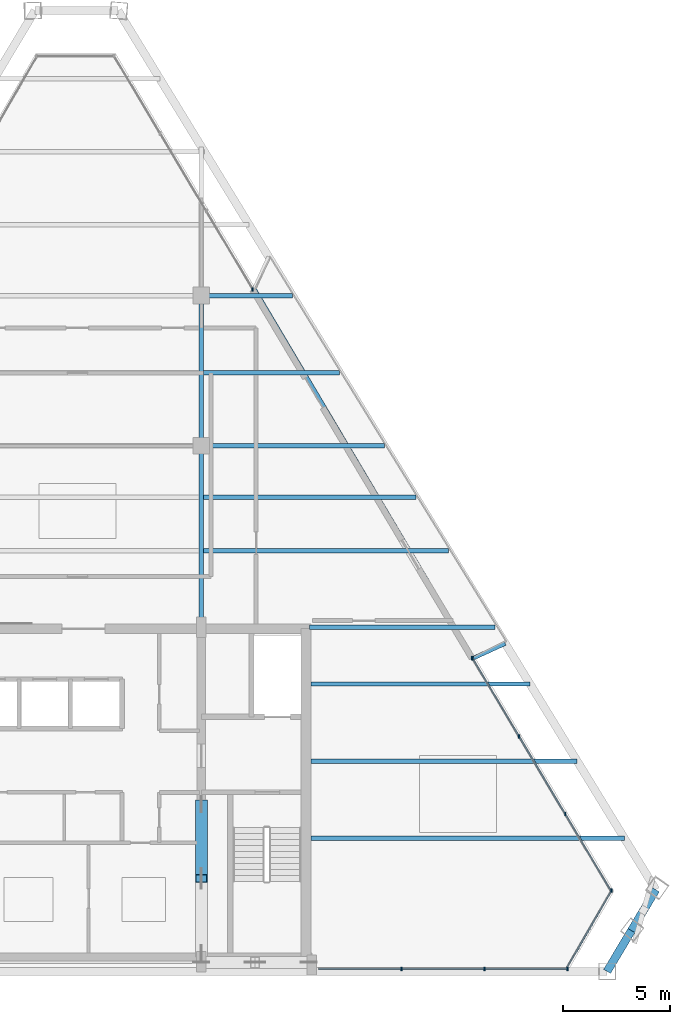
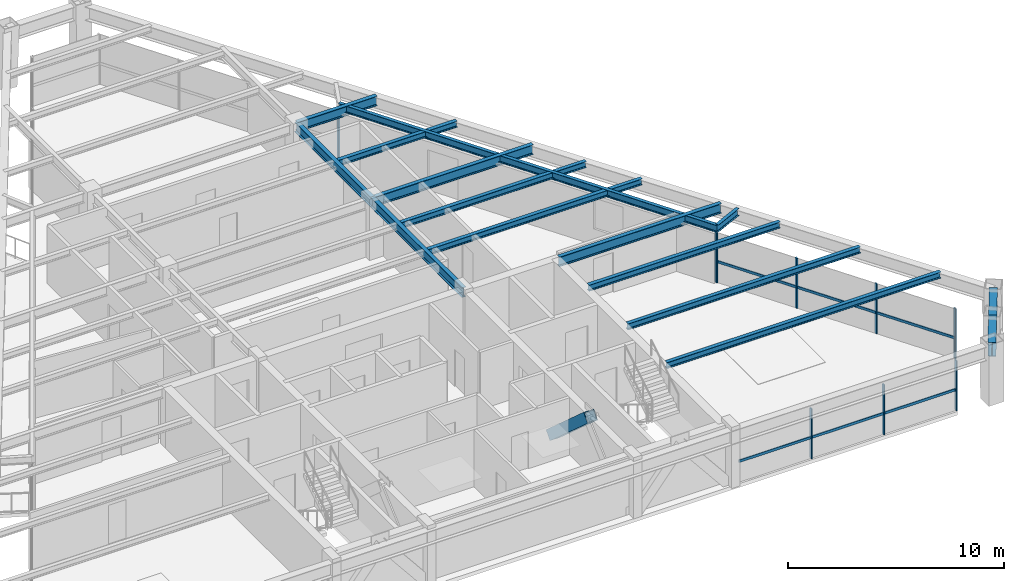
# One storey, part 5 of 13: 17 members, 15 beams, 4 elements without a shape of their own.
"""IFC4 building model written with IfcOpenShell, lengths in metres."""

from ifc_helpers import new_model, si_unit, direction, frame, origin, origin_2d, place, context, subcontext, project, spatial, rectangle, hollow_rectangle, i_section, extrude, source, transform, mapped, material, material_profile, profile_set, type_object, type_shapes, element, aggregate, save


model = new_model("IFC4")

# Units and contexts
model_context = context("Model", 3, precision=1e-05, world=origin(), true_north=direction((0.0, 1.0)))
body_context = subcontext(model_context, "Body", "Model", "MODEL_VIEW")
ifc_project = project(units=[si_unit("LENGTHUNIT", "METRE"), si_unit("AREAUNIT", "SQUARE_METRE"), si_unit("VOLUMEUNIT", "CUBIC_METRE"), si_unit("PLANEANGLEUNIT", "RADIAN"), si_unit("MASSUNIT", "GRAM", prefix="KILO")], contexts=[model_context])

# Site, building, storey
site_placement = place(None, origin())
site = spatial("IfcSite", under=ifc_project, at=site_placement, CompositionType="ELEMENT")
building_placement = place(site_placement, origin())
building = spatial("IfcBuilding", under=site, at=building_placement, Name="Varnakhor Terracotta Tower", CompositionType="ELEMENT")
storey_placement = place(building_placement, frame((0.0, 0.0, 273.0)))
storey = spatial("IfcBuildingStorey", under=building, at=storey_placement, Name="L71", CompositionType="ELEMENT", Elevation=273.0)

# Beams
ifc_material_1 = material(Name="Steel S355", Category="steel")
ifc_material_profile_1 = material_profile(ifc_material_1, i_section(OverallWidth=0.214111328125, OverallDepth=0.549072265625, WebThickness=0.014892578125, FlangeThickness=0.02392578125, FilletRadius=0.01806640625, at=origin_2d()), Name="W21X93")
ifc_profile_set_1 = profile_set([ifc_material_profile_1], Name="Steel S355")
beam_type_1 = type_object("IfcBeamType", Name="BM-W21X93", PredefinedType="BEAM", material=ifc_profile_set_1)
shared_shape_1 = source(origin(), body_context, "Body", "SweptSolid", [
    extrude(i_section(OverallWidth=0.214111328125, OverallDepth=0.549072265625, WebThickness=0.014892578125, FlangeThickness=0.02392578125, FilletRadius=0.01806640625, at=origin_2d()), origin(), (0.0, 0.0, 1.0), 8.449951171875),
])
type_shapes(beam_type_1, [shared_shape_1])
beam_1_placement = place(storey_placement, frame((5.5, 16.050048828125, 2.965576171875), z_axis=(0.0, 1.0, 0.0), x_axis=(-1.0, 0.0, 0.0)))
element("IfcBeam", 1, at=beam_1_placement, inside=storey, type_object=beam_type_1, Name="L71 Primary Girder NS1-E", PredefinedType="BEAM", context=body_context, shape_type="MappedRepresentation", body=[
    mapped(shared_shape_1, transform((0.0, 0.0, 0.0), scale=1.0)),
])
shared_shape_2 = source(origin(), body_context, "Body", "SweptSolid", [
    extrude(i_section(OverallWidth=0.214111328125, OverallDepth=0.549072265625, WebThickness=0.014892578125, FlangeThickness=0.02392578125, FilletRadius=0.01806640625, at=origin_2d()), origin(), (0.0, 0.0, 1.0), 7.0),
])
beam_2_placement = place(storey_placement, frame((5.5, 24.5, 2.965576171875), z_axis=(0.0, 1.0, 0.0), x_axis=(-1.0, 0.0, 0.0)))
element("IfcBeam", 2, at=beam_2_placement, inside=storey, type_object=beam_type_1, Name="L71 Primary Girder NS2-E", PredefinedType="BEAM", context=body_context, shape_type="MappedRepresentation", body=[
    mapped(shared_shape_2, transform((0.0, 0.0, 0.0), scale=1.0)),
])

# Member
ifc_material_profile_2 = material_profile(ifc_material_1, hollow_rectangle(XDim=0.550048828125, YDim=0.550048828125, WallThickness=0.034912109375, at=origin_2d()), Name="HSS550X550X35")
ifc_profile_set_2 = profile_set([ifc_material_profile_2], Name="Steel S355")
member_type_1 = type_object("IfcMemberType", Name="MBR-MEGA-550", PredefinedType="BRACE", material=ifc_profile_set_2)
shared_shape_3 = source(origin(), body_context, "Body", "SweptSolid", [
    extrude(hollow_rectangle(XDim=0.550048828125, YDim=0.550048828125, WallThickness=0.034912109375, at=origin_2d()), origin(), (0.0, 0.0, 1.0), 4.650146484375),
])
member_1_placement = place(storey_placement, frame((5.5, 7.800048828125, 0.0), z_axis=(0.0, -0.74729054724, 0.664497432655), x_axis=(1.0, 0.0, 0.0)))
element("IfcMember", 3, at=member_1_placement, inside=storey, type_object=member_type_1, Name="L71 Core Coupled Brace CWEB", PredefinedType="BRACE", context=body_context, shape_type="MappedRepresentation", body=[
    mapped(shared_shape_3, transform((0.0, 0.0, 0.0), scale=1.0)),
])

# Beams
ifc_material_profile_3 = material_profile(ifc_material_1, i_section(OverallWidth=0.381103515625, OverallDepth=0.77294921875, WebThickness=0.01708984375, FlangeThickness=0.027099609375, FilletRadius=0.01806640625, at=origin_2d()), Name="W30X173")
ifc_profile_set_3 = profile_set([ifc_material_profile_3], Name="Steel S355")
beam_type_2 = type_object("IfcBeamType", Name="BM-W30X173", PredefinedType="BEAM", material=ifc_profile_set_3)
shared_shape_4 = source(origin(), body_context, "Body", "SweptSolid", [
    extrude(i_section(OverallWidth=0.381103515625, OverallDepth=0.77294921875, WebThickness=0.01708984375, FlangeThickness=0.027099609375, FilletRadius=0.01806640625, at=origin_2d()), origin(), (0.0, 0.0, 1.0), 2.21728515625),
])
for number, where, z_axis, x_axis, name in (
    (4, (24.4091796875, 0.0, 2.853515625), (0.512859467372, 0.858472577737, 0.0), (-0.858472577737, 0.512859467372, 0.0), "L71 Perimeter Spandrel 2"),
    (5, (25.54638671875, 1.903564453125, 2.853515625), (0.512859467372, 0.858472577737, 0.0), (-0.858472577737, 0.512859467372, 0.0), "L71 Perimeter Spandrel 3"),
):
    element("IfcBeam", number, at=place(storey_placement, frame(where, z_axis=z_axis, x_axis=x_axis)), inside=storey, type_object=beam_type_2, Name=name, PredefinedType="BEAM", context=body_context, shape_type="MappedRepresentation", body=[
        mapped(shared_shape_4, transform((0.0, 0.0, 0.0), scale=1.0)),
    ])
ifc_material_profile_4 = material_profile(ifc_material_1, i_section(OverallWidth=0.179931640625, OverallDepth=0.39990234375, WebThickness=0.008544921875, FlangeThickness=0.013427734375, FilletRadius=0.01806640625, at=origin_2d()), Name="IPE400")
ifc_profile_set_4 = profile_set([ifc_material_profile_4], Name="Steel S355")
beam_type_3 = type_object("IfcBeamType", Name="JST-IPE400", PredefinedType="JOIST", material=ifc_profile_set_4)
shared_shape_5 = source(origin(), body_context, "Body", "SweptSolid", [
    extrude(i_section(OverallWidth=0.179931640625, OverallDepth=0.39990234375, WebThickness=0.008544921875, FlangeThickness=0.013427734375, FilletRadius=0.01806640625, at=origin_2d()), origin(), (0.0, 0.0, 1.0), 20.01708984375),
])
beam_3_placement = place(storey_placement, frame((18.165771484375, 14.59619140625, 3.0400390625), z_axis=(-0.509669992736, 0.860369977687, 0.0), x_axis=(-0.860369977687, -0.509669992736, 0.0)))
element("IfcBeam", 6, at=beam_3_placement, inside=storey, type_object=beam_type_3, Name="L71 Loggia Edge Beam 1", PredefinedType="JOIST", context=body_context, shape_type="MappedRepresentation", body=[
    mapped(shared_shape_5, transform((0.0, 0.0, 0.0), scale=1.0)),
])
shared_shape_6 = source(origin(), body_context, "Body", "SweptSolid", [
    extrude(i_section(OverallWidth=0.214111328125, OverallDepth=0.549072265625, WebThickness=0.014892578125, FlangeThickness=0.02392578125, FilletRadius=0.01806640625, at=origin_2d()), origin(), (0.0, 0.0, 1.0), 8.644775390625),
])
beam_4_placement = place(storey_placement, frame((10.550048828125, 16.050048828125, 2.965576171875), z_axis=(1.0, 0.0, 0.0), x_axis=(0.0, 1.0, 0.0)))
element("IfcBeam", 7, at=beam_4_placement, inside=storey, type_object=beam_type_1, Name="L71 Wing Girder E", PredefinedType="BEAM", context=body_context, shape_type="MappedRepresentation", body=[
    mapped(shared_shape_6, transform((0.0, 0.0, 0.0), scale=1.0)),
])
shared_shape_7 = source(origin(), body_context, "Body", "SweptSolid", [
    extrude(i_section(OverallWidth=0.214111328125, OverallDepth=0.549072265625, WebThickness=0.014892578125, FlangeThickness=0.02392578125, FilletRadius=0.01806640625, at=origin_2d()), origin(), (0.0, 0.0, 1.0), 8.52587890625),
])
beam_5_placement = place(storey_placement, frame((5.5, 24.5, 2.965576171875), z_axis=(1.0, 0.0, 0.0), x_axis=(0.0, 1.0, 0.0)))
element("IfcBeam", 8, at=beam_5_placement, inside=storey, type_object=beam_type_1, Name="L71 Primary Girder EW2-3", PredefinedType="BEAM", context=body_context, shape_type="MappedRepresentation", body=[
    mapped(shared_shape_7, transform((0.0, 0.0, 0.0), scale=1.0)),
])
shared_shape_8 = source(origin(), body_context, "Body", "SweptSolid", [
    extrude(i_section(OverallWidth=0.214111328125, OverallDepth=0.549072265625, WebThickness=0.014892578125, FlangeThickness=0.02392578125, FilletRadius=0.01806640625, at=origin_2d()), origin(), (0.0, 0.0, 1.0), 4.244140625),
])
beam_6_placement = place(storey_placement, frame((5.5, 31.5, 2.965576171875), z_axis=(1.0, 0.0, 0.0), x_axis=(0.0, 1.0, 0.0)))
element("IfcBeam", 9, at=beam_6_placement, inside=storey, type_object=beam_type_1, Name="L71 Primary Girder EW3-3", PredefinedType="BEAM", context=body_context, shape_type="MappedRepresentation", body=[
    mapped(shared_shape_8, transform((0.0, 0.0, 0.0), scale=1.0)),
])
ifc_material_profile_5 = material_profile(ifc_material_1, i_section(OverallWidth=0.202880859375, OverallDepth=0.346923828125, WebThickness=0.0078125, FlangeThickness=0.013427734375, FilletRadius=0.01806640625, at=origin_2d()), Name="W14X43")
ifc_profile_set_5 = profile_set([ifc_material_profile_5], Name="Steel S355")
beam_type_4 = type_object("IfcBeamType", Name="JST-W14X43", PredefinedType="JOIST", material=ifc_profile_set_5)
shared_shape_9 = source(origin(), body_context, "Body", "SweptSolid", [
    extrude(i_section(OverallWidth=0.202880859375, OverallDepth=0.346923828125, WebThickness=0.0078125, FlangeThickness=0.013427734375, FilletRadius=0.01806640625, at=origin_2d()), origin(), (0.0, 0.0, 1.0), 14.619873046875),
])
beam_7_placement = place(storey_placement, frame((10.60009765625, 6.199951171875, 3.06640625), z_axis=(1.0, 0.0, 0.0), x_axis=(0.0, 1.0, 0.0)))
element("IfcBeam", 10, at=beam_7_placement, inside=storey, type_object=beam_type_4, Name="L71 Floor Joist E1", PredefinedType="JOIST", context=body_context, shape_type="MappedRepresentation", body=[
    mapped(shared_shape_9, transform((0.0, 0.0, 0.0), scale=1.0)),
])
shared_shape_10 = source(origin(), body_context, "Body", "SweptSolid", [
    extrude(i_section(OverallWidth=0.202880859375, OverallDepth=0.346923828125, WebThickness=0.0078125, FlangeThickness=0.013427734375, FilletRadius=0.01806640625, at=origin_2d()), origin(), (0.0, 0.0, 1.0), 12.417724609375),
])
beam_8_placement = place(storey_placement, frame((10.60009765625, 9.800048828125, 3.06640625), z_axis=(1.0, 0.0, 0.0), x_axis=(0.0, 1.0, 0.0)))
element("IfcBeam", 11, at=beam_8_placement, inside=storey, type_object=beam_type_4, Name="L71 Floor Joist E2", PredefinedType="JOIST", context=body_context, shape_type="MappedRepresentation", body=[
    mapped(shared_shape_10, transform((0.0, 0.0, 0.0), scale=1.0)),
])
shared_shape_11 = source(origin(), body_context, "Body", "SweptSolid", [
    extrude(i_section(OverallWidth=0.202880859375, OverallDepth=0.346923828125, WebThickness=0.0078125, FlangeThickness=0.013427734375, FilletRadius=0.01806640625, at=origin_2d()), origin(), (0.0, 0.0, 1.0), 10.2158203125),
])
beam_9_placement = place(storey_placement, frame((10.60009765625, 13.39990234375, 3.06640625), z_axis=(1.0, 0.0, 0.0), x_axis=(0.0, 1.0, 0.0)))
element("IfcBeam", 12, at=beam_9_placement, inside=storey, type_object=beam_type_4, Name="L71 Floor Joist E3", PredefinedType="JOIST", context=body_context, shape_type="MappedRepresentation", body=[
    mapped(shared_shape_11, transform((0.0, 0.0, 0.0), scale=1.0)),
])
shared_shape_12 = source(origin(), body_context, "Body", "SweptSolid", [
    extrude(i_section(OverallWidth=0.202880859375, OverallDepth=0.346923828125, WebThickness=0.0078125, FlangeThickness=0.013427734375, FilletRadius=0.01806640625, at=origin_2d()), origin(), (0.0, 0.0, 1.0), 11.420166015625),
])
beam_10_placement = place(storey_placement, frame((5.60302734375, 19.60009765625, 3.06640625), z_axis=(1.0, 0.0, 0.0), x_axis=(0.0, 1.0, 0.0)))
element("IfcBeam", 13, at=beam_10_placement, inside=storey, type_object=beam_type_4, Name="L71 Composite Floor Joist 4-3", PredefinedType="JOIST", context=body_context, shape_type="MappedRepresentation", body=[
    mapped(shared_shape_12, transform((0.0, 0.0, 0.0), scale=1.0)),
])
shared_shape_13 = source(origin(), body_context, "Body", "SweptSolid", [
    extrude(i_section(OverallWidth=0.202880859375, OverallDepth=0.346923828125, WebThickness=0.0078125, FlangeThickness=0.013427734375, FilletRadius=0.01806640625, at=origin_2d()), origin(), (0.0, 0.0, 1.0), 9.890869140625),
])
beam_11_placement = place(storey_placement, frame((5.60302734375, 22.10009765625, 3.06640625), z_axis=(1.0, 0.0, 0.0), x_axis=(0.0, 1.0, 0.0)))
element("IfcBeam", 14, at=beam_11_placement, inside=storey, type_object=beam_type_4, Name="L71 Composite Floor Joist 5-3", PredefinedType="JOIST", context=body_context, shape_type="MappedRepresentation", body=[
    mapped(shared_shape_13, transform((0.0, 0.0, 0.0), scale=1.0)),
])
shared_shape_14 = source(origin(), body_context, "Body", "SweptSolid", [
    extrude(i_section(OverallWidth=0.202880859375, OverallDepth=0.346923828125, WebThickness=0.0078125, FlangeThickness=0.013427734375, FilletRadius=0.01806640625, at=origin_2d()), origin(), (0.0, 0.0, 1.0), 6.34326171875),
])
beam_12_placement = place(storey_placement, frame((5.60302734375, 27.89990234375, 3.06640625), z_axis=(1.0, 0.0, 0.0), x_axis=(0.0, 1.0, 0.0)))
element("IfcBeam", 15, at=beam_12_placement, inside=storey, type_object=beam_type_4, Name="L71 Composite Floor Joist 6-3", PredefinedType="JOIST", context=body_context, shape_type="MappedRepresentation", body=[
    mapped(shared_shape_14, transform((0.0, 0.0, 0.0), scale=1.0)),
])

# Curtain wall, members
ifc_material_2 = material(Name="Anodised Aluminium Curtain Wall System", Category="aluminium")
curtain_wall_type = type_object("IfcCurtainWallType", Name="CW-SYS-HOTEL-LOGGIA", PredefinedType="NOTDEFINED", material=ifc_material_2)
curtain_wall_1_placement = place(storey_placement, origin())
curtain_wall_1 = element("IfcCurtainWall", 16, at=curtain_wall_1_placement, inside=storey, type_object=curtain_wall_type, Name="L71 E Facet Curtain Wall 2", PredefinedType="NOTDEFINED")
ifc_material_3 = material(Name="Anodised Aluminium 6063-T6", Category="aluminium")
ifc_material_profile_6 = material_profile(ifc_material_3, rectangle(XDim=0.06494140625, YDim=0.159912109375, at=origin_2d()), Name="ALU MULLION 65x160")
ifc_profile_set_6 = profile_set([ifc_material_profile_6], Name="Anodised Aluminium 6063-T6")
member_type_2 = type_object("IfcMemberType", Name="CWM-04", PredefinedType="MULLION", material=ifc_profile_set_6)
shared_shape_15 = source(origin(), body_context, "Body", "SweptSolid", [
    extrude(rectangle(XDim=0.06494140625, YDim=0.159912109375, at=origin_2d()), origin(), (0.0, 0.0, 1.0), 2.820068359375),
])
type_shapes(member_type_2, [shared_shape_15])
member_2_placement = place(storey_placement, frame((18.14599609375, 14.583984375, 0.0), z_axis=(0.0, 0.0, 1.0), x_axis=(1.0, 0.0, 0.0)))
member_2 = element("IfcMember", 17, at=member_2_placement, type_object=member_type_2, Name="L71 E Facet Curtain Wall 2 Mullion 1", PredefinedType="MULLION", context=body_context, shape_type="MappedRepresentation", body=[
    mapped(shared_shape_15, transform((0.0, 0.0, 0.0), scale=1.0)),
])
member_3_placement = place(storey_placement, frame((20.303955078125, 10.95751953125, 0.0), z_axis=(0.0, 0.0, 1.0), x_axis=(1.0, 0.0, 0.0)))
member_3 = element("IfcMember", 18, at=member_3_placement, type_object=member_type_2, Name="L71 E Facet Curtain Wall 2 Mullion 2", PredefinedType="MULLION", context=body_context, shape_type="MappedRepresentation", body=[
    mapped(shared_shape_15, transform((0.0, 0.0, 0.0), scale=1.0)),
])
member_4_placement = place(storey_placement, frame((22.462158203125, 7.3310546875, 0.0), z_axis=(0.0, 0.0, 1.0), x_axis=(1.0, 0.0, 0.0)))
member_4 = element("IfcMember", 19, at=member_4_placement, type_object=member_type_2, Name="L71 E Facet Curtain Wall 2 Mullion 3", PredefinedType="MULLION", context=body_context, shape_type="MappedRepresentation", body=[
    mapped(shared_shape_15, transform((0.0, 0.0, 0.0), scale=1.0)),
])

# Curtain wall, member
curtain_wall_2_placement = place(storey_placement, origin())
curtain_wall_2 = element("IfcCurtainWall", 20, at=curtain_wall_2_placement, inside=storey, type_object=curtain_wall_type, Name="L71 E Facet Curtain Wall 1", PredefinedType="NOTDEFINED")
member_5_placement = place(storey_placement, frame((7.8916015625, 31.77685546875, 0.0), z_axis=(0.0, 0.0, 1.0), x_axis=(1.0, 0.0, 0.0)))
member_5 = element("IfcMember", 21, at=member_5_placement, type_object=member_type_2, Name="L71 E Loggia Jamb Closure Mullion 1", PredefinedType="MULLION", context=body_context, shape_type="MappedRepresentation", body=[
    mapped(shared_shape_15, transform((0.0, 0.0, 0.0), scale=1.0)),
])
aggregate(curtain_wall_2, [member_5])

# Member
member_6_placement = place(storey_placement, frame((18.113525390625, 14.599609375, 0.0), z_axis=(0.0, 0.0, 1.0), x_axis=(1.0, 0.0, 0.0)))
member_6 = element("IfcMember", 22, at=member_6_placement, type_object=member_type_2, Name="L71 E Loggia Jamb Closure Mullion 2", PredefinedType="MULLION", context=body_context, shape_type="MappedRepresentation", body=[
    mapped(shared_shape_15, transform((0.0, 0.0, 0.0), scale=1.0)),
])

# Curtain wall, member
curtain_wall_3_placement = place(storey_placement, origin())
curtain_wall_3 = element("IfcCurtainWall", 23, at=curtain_wall_3_placement, inside=storey, type_object=curtain_wall_type, Name="L71 Facet Curtain Wall 4", PredefinedType="NOTDEFINED")
member_7_placement = place(storey_placement, frame((24.61962890625, 3.774169921875, 0.0), z_axis=(0.0, 0.0, 1.0), x_axis=(1.0, 0.0, 0.0)))
member_7 = element("IfcMember", 24, at=member_7_placement, type_object=member_type_2, Name="L71 Facet Curtain Wall 4 Mullion 1", PredefinedType="MULLION", context=body_context, shape_type="MappedRepresentation", body=[
    mapped(shared_shape_15, transform((0.0, 0.0, 0.0), scale=1.0)),
])

# Curtain wall, members
curtain_wall_4_placement = place(storey_placement, origin())
curtain_wall_4 = element("IfcCurtainWall", 25, at=curtain_wall_4_placement, inside=storey, type_object=curtain_wall_type, Name="L71 South Wing Curtain Wall SSE", PredefinedType="NOTDEFINED")
member_8_placement = place(storey_placement, frame((22.565673828125, 0.1201171875, 0.0), z_axis=(0.0, 0.0, 1.0), x_axis=(1.0, 0.0, 0.0)))
member_8 = element("IfcMember", 26, at=member_8_placement, type_object=member_type_2, Name="L71 South Wing Curtain Wall SSE Mullion 1", PredefinedType="MULLION", context=body_context, shape_type="MappedRepresentation", body=[
    mapped(shared_shape_15, transform((0.0, 0.0, 0.0), scale=1.0)),
])
member_9_placement = place(storey_placement, frame((18.700439453125, 0.1201171875, 0.0), z_axis=(0.0, 0.0, 1.0), x_axis=(1.0, 0.0, 0.0)))
member_9 = element("IfcMember", 27, at=member_9_placement, type_object=member_type_2, Name="L71 South Wing Curtain Wall SSE Mullion 2", PredefinedType="MULLION", context=body_context, shape_type="MappedRepresentation", body=[
    mapped(shared_shape_15, transform((0.0, 0.0, 0.0), scale=1.0)),
])
member_10_placement = place(storey_placement, frame((14.835205078125, 0.1201171875, 0.0), z_axis=(0.0, 0.0, 1.0), x_axis=(1.0, 0.0, 0.0)))
member_10 = element("IfcMember", 28, at=member_10_placement, type_object=member_type_2, Name="L71 South Wing Curtain Wall SSE Mullion 3", PredefinedType="MULLION", context=body_context, shape_type="MappedRepresentation", body=[
    mapped(shared_shape_15, transform((0.0, 0.0, 0.0), scale=1.0)),
])

# Member
ifc_material_profile_7 = material_profile(ifc_material_3, rectangle(XDim=0.06494140625, YDim=0.14501953125, at=origin_2d()), Name="ALU TRANSOM 65x145")
ifc_profile_set_7 = profile_set([ifc_material_profile_7], Name="Anodised Aluminium 6063-T6")
member_type_3 = type_object("IfcMemberType", Name="CWT-04", PredefinedType="USERDEFINED", material=ifc_profile_set_7)
shared_shape_16 = source(origin(), body_context, "Body", "SweptSolid", [
    extrude(rectangle(XDim=0.06494140625, YDim=0.14501953125, at=origin_2d()), origin(), (0.0, 0.0, 1.0), 4.219970703125),
])
member_11_placement = place(storey_placement, frame((18.14599609375, 14.583984375, 1.184326171875), z_axis=(0.511369939667, -0.859360683767, 0.0), x_axis=(0.859360683767, 0.511369939667, 0.0)))
member_11 = element("IfcMember", 29, at=member_11_placement, type_object=member_type_3, Name="L71 E Facet Curtain Wall 2 Transom 1", ObjectType="TRANSOM", PredefinedType="USERDEFINED", context=body_context, shape_type="MappedRepresentation", body=[
    mapped(shared_shape_16, transform((0.0, 0.0, 0.0), scale=1.0)),
])

member_12_placement = place(storey_placement, frame((20.303955078125, 10.95751953125, 1.184326171875), z_axis=(0.511412662865, -0.859335259524, 0.0), x_axis=(0.859335259524, 0.511412662865, 0.0)))
member_12 = element("IfcMember", 30, at=member_12_placement, type_object=member_type_3, Name="L71 E Facet Curtain Wall 2 Transom 2", ObjectType="TRANSOM", PredefinedType="USERDEFINED", context=body_context, shape_type="MappedRepresentation", body=[
    mapped(shared_shape_16, transform((0.0, 0.0, 0.0), scale=1.0)),
])

member_13_placement = place(storey_placement, frame((22.462158203125, 7.3310546875, 1.184326171875), z_axis=(0.511369939667, -0.859360683767, 0.0), x_axis=(0.859360683767, 0.511369939667, 0.0)))
member_13 = element("IfcMember", 31, at=member_13_placement, type_object=member_type_3, Name="L71 E Facet Curtain Wall 2 Transom 3", ObjectType="TRANSOM", PredefinedType="USERDEFINED", context=body_context, shape_type="MappedRepresentation", body=[
    mapped(shared_shape_16, transform((0.0, 0.0, 0.0), scale=1.0)),
])

aggregate(curtain_wall_1, [member_2, member_11, member_3, member_12, member_4, member_13, member_6])

shared_shape_17 = source(origin(), body_context, "Body", "SweptSolid", [
    extrude(rectangle(XDim=0.06494140625, YDim=0.14501953125, at=origin_2d()), origin(), (0.0, 0.0, 1.0), 4.260498046875),
])
member_14_placement = place(storey_placement, frame((24.61962890625, 3.774169921875, 1.184326171875), z_axis=(-0.500600251321, -0.865678571051, 0.0), x_axis=(0.865678571051, -0.500600251321, 0.0)))
member_14 = element("IfcMember", 32, at=member_14_placement, type_object=member_type_3, Name="L71 Facet Curtain Wall 4 Transom 1", ObjectType="TRANSOM", PredefinedType="USERDEFINED", context=body_context, shape_type="MappedRepresentation", body=[
    mapped(shared_shape_17, transform((0.0, 0.0, 0.0), scale=1.0)),
])

aggregate(curtain_wall_3, [member_7, member_14])

shared_shape_18 = source(origin(), body_context, "Body", "SweptSolid", [
    extrude(rectangle(XDim=0.06494140625, YDim=0.14501953125, at=origin_2d()), origin(), (0.0, 0.0, 1.0), 3.865234375),
])
member_15_placement = place(storey_placement, frame((22.565673828125, 0.1201171875, 1.184326171875), z_axis=(-1.0, 0.0, 0.0), x_axis=(0.0, -1.0, 0.0)))
member_15 = element("IfcMember", 33, at=member_15_placement, type_object=member_type_3, Name="L71 South Wing Curtain Wall SSE Transom 1", ObjectType="TRANSOM", PredefinedType="USERDEFINED", context=body_context, shape_type="MappedRepresentation", body=[
    mapped(shared_shape_18, transform((0.0, 0.0, 0.0), scale=1.0)),
])

member_16_placement = place(storey_placement, frame((18.700439453125, 0.1201171875, 1.184326171875), z_axis=(-1.0, 0.0, 0.0), x_axis=(0.0, -1.0, 0.0)))
member_16 = element("IfcMember", 34, at=member_16_placement, type_object=member_type_3, Name="L71 South Wing Curtain Wall SSE Transom 2", ObjectType="TRANSOM", PredefinedType="USERDEFINED", context=body_context, shape_type="MappedRepresentation", body=[
    mapped(shared_shape_18, transform((0.0, 0.0, 0.0), scale=1.0)),
])

member_17_placement = place(storey_placement, frame((14.835205078125, 0.1201171875, 1.184326171875), z_axis=(-1.0, 0.0, 0.0), x_axis=(0.0, -1.0, 0.0)))
member_17 = element("IfcMember", 35, at=member_17_placement, type_object=member_type_3, Name="L71 South Wing Curtain Wall SSE Transom 3", ObjectType="TRANSOM", PredefinedType="USERDEFINED", context=body_context, shape_type="MappedRepresentation", body=[
    mapped(shared_shape_18, transform((0.0, 0.0, 0.0), scale=1.0)),
])

aggregate(curtain_wall_4, [member_8, member_15, member_9, member_16, member_10, member_17])

# Beam
shared_shape_19 = source(origin(), body_context, "Body", "SweptSolid", [
    extrude(i_section(OverallWidth=0.179931640625, OverallDepth=0.39990234375, WebThickness=0.008544921875, FlangeThickness=0.013427734375, FilletRadius=0.01806640625, at=origin_2d()), origin(), (0.0, 0.0, 1.0), 1.6484375),
])
beam_13_placement = place(storey_placement, frame((18.165771484375, 14.59619140625, 3.0400390625), z_axis=(0.909685571083, 0.415297678495, 0.0), x_axis=(-0.415297678495, 0.909685571083, 0.0)))
element("IfcBeam", 36, at=beam_13_placement, inside=storey, type_object=beam_type_3, Name="L72 E Loggia Tie Beam 2", PredefinedType="JOIST", context=body_context, shape_type="MappedRepresentation", body=[
    mapped(shared_shape_19, transform((0.0, 0.0, 0.0), scale=1.0)),
])

save(model, "model.ifc")
